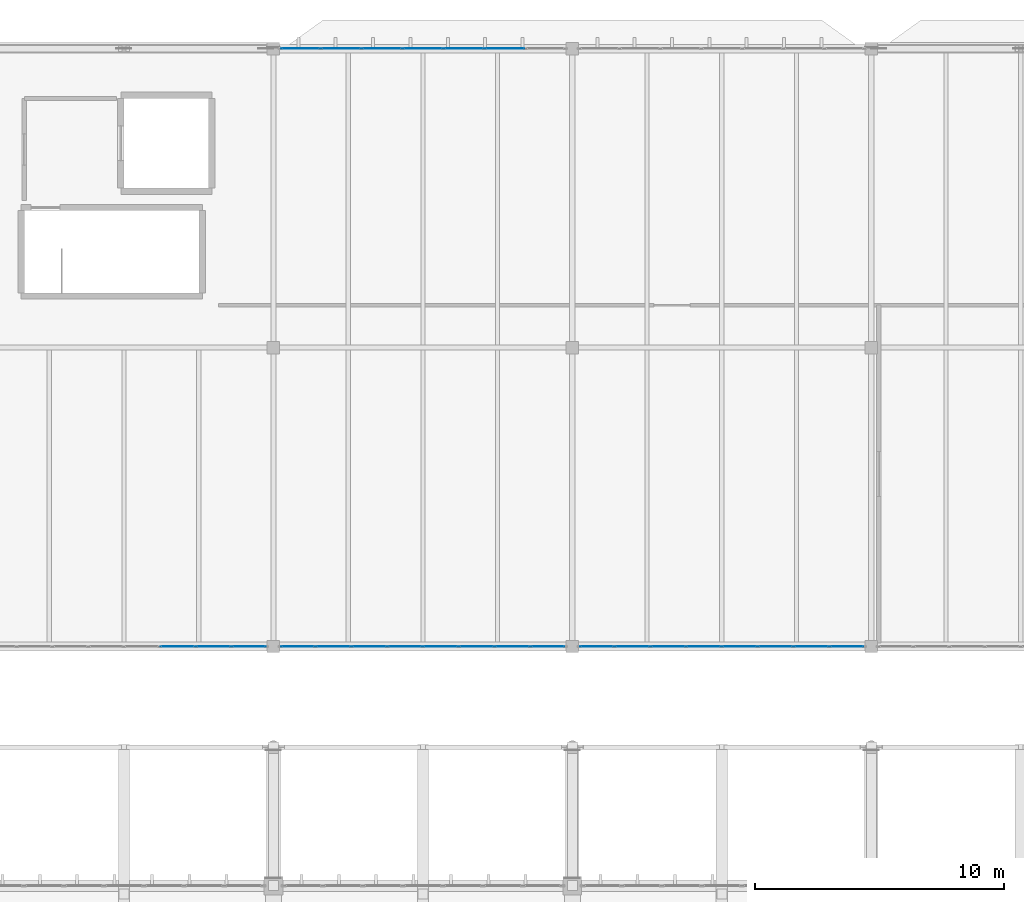
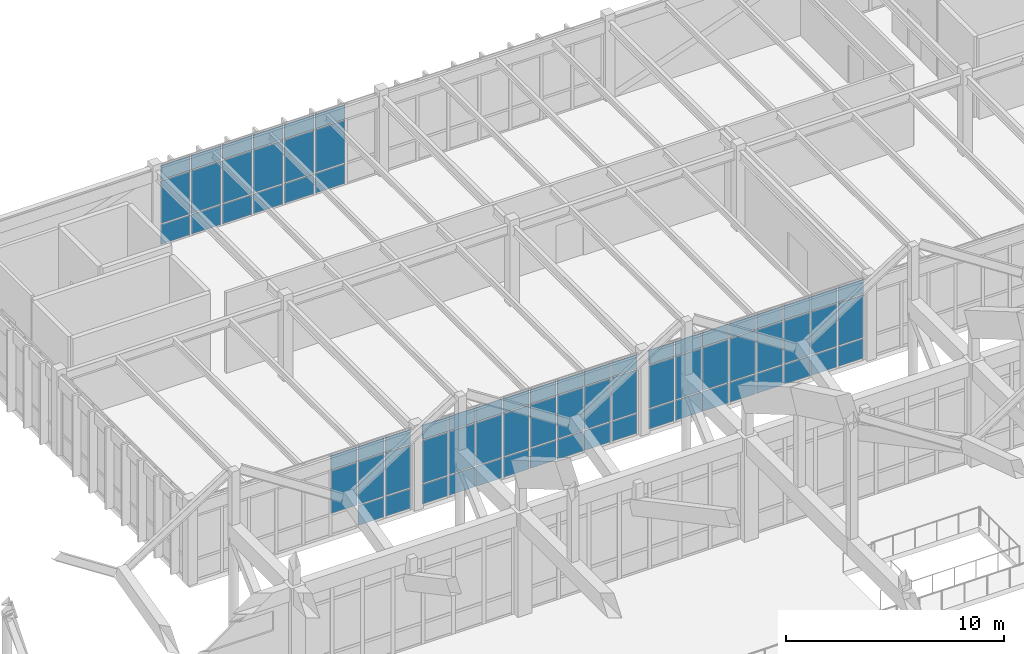
# One storey, part 196 of 236: 74 plates, 4 elements without a shape of their own.
"""IFC4 building model written with IfcOpenShell, lengths in metres."""

from ifc_helpers import new_model, si_unit, direction, frame, origin, origin_2d, place, context, subcontext, project, spatial, rectangle, extrude, material, layer, layer_set, type_object, element, aggregate, save


model = new_model("IFC4")

# Units and contexts
model_context = context("Model", 3, precision=1e-05, world=origin(), true_north=direction((0.0, 1.0)))
body_context = subcontext(model_context, "Body", "Model", "MODEL_VIEW")
ifc_project = project(units=[si_unit("LENGTHUNIT", "METRE"), si_unit("AREAUNIT", "SQUARE_METRE"), si_unit("VOLUMEUNIT", "CUBIC_METRE"), si_unit("PLANEANGLEUNIT", "RADIAN"), si_unit("MASSUNIT", "GRAM", prefix="KILO")], contexts=[model_context])

# Site, building, storey
site_placement = place(None, origin())
site = spatial("IfcSite", under=ifc_project, at=site_placement, CompositionType="ELEMENT")
building_placement = place(site_placement, origin())
building = spatial("IfcBuilding", under=site, at=building_placement, Name="Pandanus Reach Market Hall", CompositionType="ELEMENT")
storey_placement = place(building_placement, frame((0.0, 0.0, 5.39990234375)))
storey = spatial("IfcBuildingStorey", under=building, at=storey_placement, Name="L01", CompositionType="ELEMENT", Elevation=5.39990234375)

# Curtain wall, plates
ifc_material_1 = material(Name="Bronze anodised aluminium and low-E glass", Category="aluminium")
ifc_layer_1 = layer(ifc_material_1, 0.159912109375, Name="CW-38")
ifc_layer_set_1 = layer_set([ifc_layer_1], Name="Bronze anodised aluminium and low-E glass")
curtain_wall_type_1 = type_object("IfcCurtainWallType", Name="CW-38", PredefinedType="NOTDEFINED", material=ifc_layer_set_1)
curtain_wall_1_placement = place(storey_placement, origin())
curtain_wall_1 = element("IfcCurtainWall", 1, at=curtain_wall_1_placement, inside=storey, type_object=curtain_wall_type_1, Name="Glazed curtain wall CW-38 CW-0135", PredefinedType="NOTDEFINED")
ifc_material_2 = material(Name="Solar-control double glazing", Category="glass")
ifc_layer_2 = layer(ifc_material_2, 0.028076171875, Name="CW-P1")
ifc_layer_set_2 = layer_set([ifc_layer_2], Name="Solar-control double glazing")
plate_type = type_object("IfcPlateType", Name="CW-P1", PredefinedType="CURTAIN_PANEL", material=ifc_layer_set_2)
plate_1_placement = place(storey_placement, frame((68.15625, 96.0, 1.232421875), z_axis=(0.0, 0.0, 1.0), x_axis=(1.0, 0.0, 0.0)))
plate_1 = element("IfcPlate", 2, at=plate_1_placement, type_object=plate_type, Name="CW-38 panel 6.2", PredefinedType="CURTAIN_PANEL", context=body_context, shape_type="SweptSolid", body=[
    extrude(rectangle(XDim=1.37255859375, YDim=0.028076171875, at=origin_2d()), origin(), (0.0, 0.0, 1.0), 2.385009765625),
])
plate_2_placement = place(storey_placement, frame((68.15625, 96.0, 3.6826171875), z_axis=(0.0, 0.0, 1.0), x_axis=(1.0, 0.0, 0.0)))
plate_2 = element("IfcPlate", 3, at=plate_2_placement, type_object=plate_type, Name="CW-38 panel 6.3", PredefinedType="CURTAIN_PANEL", context=body_context, shape_type="SweptSolid", body=[
    extrude(rectangle(XDim=1.37255859375, YDim=0.028076171875, at=origin_2d()), origin(), (0.0, 0.0, 1.0), 0.802490234375),
])
plate_3_placement = place(storey_placement, frame((69.59375, 96.0, 0.065185546875), z_axis=(0.0, 0.0, 1.0), x_axis=(1.0, 0.0, 0.0)))
plate_3 = element("IfcPlate", 4, at=plate_3_placement, type_object=plate_type, Name="CW-38 panel 7.1", PredefinedType="CURTAIN_PANEL", context=body_context, shape_type="SweptSolid", body=[
    extrude(rectangle(XDim=1.37255859375, YDim=0.028076171875, at=origin_2d()), origin(), (0.0, 0.0, 1.0), 1.1025390625),
])
plate_4_placement = place(storey_placement, frame((69.59375, 96.0, 1.232421875), z_axis=(0.0, 0.0, 1.0), x_axis=(1.0, 0.0, 0.0)))
plate_4 = element("IfcPlate", 5, at=plate_4_placement, type_object=plate_type, Name="CW-38 panel 7.2", PredefinedType="CURTAIN_PANEL", context=body_context, shape_type="SweptSolid", body=[
    extrude(rectangle(XDim=1.37255859375, YDim=0.028076171875, at=origin_2d()), origin(), (0.0, 0.0, 1.0), 2.385009765625),
])
plate_5_placement = place(storey_placement, frame((69.59375, 96.0, 3.6826171875), z_axis=(0.0, 0.0, 1.0), x_axis=(1.0, 0.0, 0.0)))
plate_5 = element("IfcPlate", 6, at=plate_5_placement, type_object=plate_type, Name="CW-38 panel 7.3", PredefinedType="CURTAIN_PANEL", context=body_context, shape_type="SweptSolid", body=[
    extrude(rectangle(XDim=1.37255859375, YDim=0.028076171875, at=origin_2d()), origin(), (0.0, 0.0, 1.0), 0.802490234375),
])
plate_6_placement = place(storey_placement, frame((71.014892578125, 96.0, 0.065185546875), z_axis=(0.0, 0.0, 1.0), x_axis=(1.0, 0.0, 0.0)))
plate_6 = element("IfcPlate", 7, at=plate_6_placement, type_object=plate_type, Name="CW-38 panel 8.1", PredefinedType="CURTAIN_PANEL", context=body_context, shape_type="SweptSolid", body=[
    extrude(rectangle(XDim=1.340087890625, YDim=0.028076171875, at=origin_2d()), origin(), (0.0, 0.0, 1.0), 1.1025390625),
])
plate_7_placement = place(storey_placement, frame((71.014892578125, 96.0, 1.232421875), z_axis=(0.0, 0.0, 1.0), x_axis=(1.0, 0.0, 0.0)))
plate_7 = element("IfcPlate", 8, at=plate_7_placement, type_object=plate_type, Name="CW-38 panel 8.2", PredefinedType="CURTAIN_PANEL", context=body_context, shape_type="SweptSolid", body=[
    extrude(rectangle(XDim=1.340087890625, YDim=0.028076171875, at=origin_2d()), origin(), (0.0, 0.0, 1.0), 2.385009765625),
])
plate_8_placement = place(storey_placement, frame((71.014892578125, 96.0, 3.6826171875), z_axis=(0.0, 0.0, 1.0), x_axis=(1.0, 0.0, 0.0)))
plate_8 = element("IfcPlate", 9, at=plate_8_placement, type_object=plate_type, Name="CW-38 panel 8.3", PredefinedType="CURTAIN_PANEL", context=body_context, shape_type="SweptSolid", body=[
    extrude(rectangle(XDim=1.340087890625, YDim=0.028076171875, at=origin_2d()), origin(), (0.0, 0.0, 1.0), 0.802490234375),
])
aggregate(curtain_wall_1, [plate_1, plate_2, plate_3, plate_4, plate_5, plate_6, plate_7, plate_8])

curtain_wall_2_placement = place(storey_placement, origin())
curtain_wall_2 = element("IfcCurtainWall", 10, at=curtain_wall_2_placement, inside=storey, type_object=curtain_wall_type_1, Name="Glazed curtain wall CW-38 CW-0136", PredefinedType="NOTDEFINED")
plate_9_placement = place(storey_placement, frame((72.985107421875, 96.0, 0.065185546875), z_axis=(0.0, 0.0, 1.0), x_axis=(1.0, 0.0, 0.0)))
plate_9 = element("IfcPlate", 11, at=plate_9_placement, type_object=plate_type, Name="CW-38 panel 1.1", PredefinedType="CURTAIN_PANEL", context=body_context, shape_type="SweptSolid", body=[
    extrude(rectangle(XDim=1.340087890625, YDim=0.028076171875, at=origin_2d()), origin(), (0.0, 0.0, 1.0), 1.1025390625),
])
plate_10_placement = place(storey_placement, frame((72.985107421875, 96.0, 1.232421875), z_axis=(0.0, 0.0, 1.0), x_axis=(1.0, 0.0, 0.0)))
plate_10 = element("IfcPlate", 12, at=plate_10_placement, type_object=plate_type, Name="CW-38 panel 1.2", PredefinedType="CURTAIN_PANEL", context=body_context, shape_type="SweptSolid", body=[
    extrude(rectangle(XDim=1.340087890625, YDim=0.028076171875, at=origin_2d()), origin(), (0.0, 0.0, 1.0), 2.385009765625),
])
plate_11_placement = place(storey_placement, frame((72.985107421875, 96.0, 3.6826171875), z_axis=(0.0, 0.0, 1.0), x_axis=(1.0, 0.0, 0.0)))
plate_11 = element("IfcPlate", 13, at=plate_11_placement, type_object=plate_type, Name="CW-38 panel 1.3", PredefinedType="CURTAIN_PANEL", context=body_context, shape_type="SweptSolid", body=[
    extrude(rectangle(XDim=1.340087890625, YDim=0.028076171875, at=origin_2d()), origin(), (0.0, 0.0, 1.0), 0.802490234375),
])
plate_12_placement = place(storey_placement, frame((74.40625, 96.0, 0.065185546875), z_axis=(0.0, 0.0, 1.0), x_axis=(1.0, 0.0, 0.0)))
plate_12 = element("IfcPlate", 14, at=plate_12_placement, type_object=plate_type, Name="CW-38 panel 2.1", PredefinedType="CURTAIN_PANEL", context=body_context, shape_type="SweptSolid", body=[
    extrude(rectangle(XDim=1.37255859375, YDim=0.028076171875, at=origin_2d()), origin(), (0.0, 0.0, 1.0), 1.1025390625),
])
plate_13_placement = place(storey_placement, frame((74.40625, 96.0, 1.232421875), z_axis=(0.0, 0.0, 1.0), x_axis=(1.0, 0.0, 0.0)))
plate_13 = element("IfcPlate", 15, at=plate_13_placement, type_object=plate_type, Name="CW-38 panel 2.2", PredefinedType="CURTAIN_PANEL", context=body_context, shape_type="SweptSolid", body=[
    extrude(rectangle(XDim=1.37255859375, YDim=0.028076171875, at=origin_2d()), origin(), (0.0, 0.0, 1.0), 2.385009765625),
])
plate_14_placement = place(storey_placement, frame((74.40625, 96.0, 3.6826171875), z_axis=(0.0, 0.0, 1.0), x_axis=(1.0, 0.0, 0.0)))
plate_14 = element("IfcPlate", 16, at=plate_14_placement, type_object=plate_type, Name="CW-38 panel 2.3", PredefinedType="CURTAIN_PANEL", context=body_context, shape_type="SweptSolid", body=[
    extrude(rectangle(XDim=1.37255859375, YDim=0.028076171875, at=origin_2d()), origin(), (0.0, 0.0, 1.0), 0.802490234375),
])
plate_15_placement = place(storey_placement, frame((75.84375, 96.0, 0.065185546875), z_axis=(0.0, 0.0, 1.0), x_axis=(1.0, 0.0, 0.0)))
plate_15 = element("IfcPlate", 17, at=plate_15_placement, type_object=plate_type, Name="CW-38 panel 3.1", PredefinedType="CURTAIN_PANEL", context=body_context, shape_type="SweptSolid", body=[
    extrude(rectangle(XDim=1.37255859375, YDim=0.028076171875, at=origin_2d()), origin(), (0.0, 0.0, 1.0), 1.1025390625),
])
plate_16_placement = place(storey_placement, frame((75.84375, 96.0, 1.232421875), z_axis=(0.0, 0.0, 1.0), x_axis=(1.0, 0.0, 0.0)))
plate_16 = element("IfcPlate", 18, at=plate_16_placement, type_object=plate_type, Name="CW-38 panel 3.2", PredefinedType="CURTAIN_PANEL", context=body_context, shape_type="SweptSolid", body=[
    extrude(rectangle(XDim=1.37255859375, YDim=0.028076171875, at=origin_2d()), origin(), (0.0, 0.0, 1.0), 2.385009765625),
])
plate_17_placement = place(storey_placement, frame((75.84375, 96.0, 3.6826171875), z_axis=(0.0, 0.0, 1.0), x_axis=(1.0, 0.0, 0.0)))
plate_17 = element("IfcPlate", 19, at=plate_17_placement, type_object=plate_type, Name="CW-38 panel 3.3", PredefinedType="CURTAIN_PANEL", context=body_context, shape_type="SweptSolid", body=[
    extrude(rectangle(XDim=1.37255859375, YDim=0.028076171875, at=origin_2d()), origin(), (0.0, 0.0, 1.0), 0.802490234375),
])
plate_18_placement = place(storey_placement, frame((77.28125, 96.0, 0.065185546875), z_axis=(0.0, 0.0, 1.0), x_axis=(1.0, 0.0, 0.0)))
plate_18 = element("IfcPlate", 20, at=plate_18_placement, type_object=plate_type, Name="CW-38 panel 4.1", PredefinedType="CURTAIN_PANEL", context=body_context, shape_type="SweptSolid", body=[
    extrude(rectangle(XDim=1.37255859375, YDim=0.028076171875, at=origin_2d()), origin(), (0.0, 0.0, 1.0), 1.1025390625),
])
plate_19_placement = place(storey_placement, frame((77.28125, 96.0, 1.232421875), z_axis=(0.0, 0.0, 1.0), x_axis=(1.0, 0.0, 0.0)))
plate_19 = element("IfcPlate", 21, at=plate_19_placement, type_object=plate_type, Name="CW-38 panel 4.2", PredefinedType="CURTAIN_PANEL", context=body_context, shape_type="SweptSolid", body=[
    extrude(rectangle(XDim=1.37255859375, YDim=0.028076171875, at=origin_2d()), origin(), (0.0, 0.0, 1.0), 2.385009765625),
])
plate_20_placement = place(storey_placement, frame((77.28125, 96.0, 3.6826171875), z_axis=(0.0, 0.0, 1.0), x_axis=(1.0, 0.0, 0.0)))
plate_20 = element("IfcPlate", 22, at=plate_20_placement, type_object=plate_type, Name="CW-38 panel 4.3", PredefinedType="CURTAIN_PANEL", context=body_context, shape_type="SweptSolid", body=[
    extrude(rectangle(XDim=1.37255859375, YDim=0.028076171875, at=origin_2d()), origin(), (0.0, 0.0, 1.0), 0.802490234375),
])
plate_21_placement = place(storey_placement, frame((78.71875, 96.0, 0.065185546875), z_axis=(0.0, 0.0, 1.0), x_axis=(1.0, 0.0, 0.0)))
plate_21 = element("IfcPlate", 23, at=plate_21_placement, type_object=plate_type, Name="CW-38 panel 5.1", PredefinedType="CURTAIN_PANEL", context=body_context, shape_type="SweptSolid", body=[
    extrude(rectangle(XDim=1.37255859375, YDim=0.028076171875, at=origin_2d()), origin(), (0.0, 0.0, 1.0), 1.1025390625),
])
plate_22_placement = place(storey_placement, frame((78.71875, 96.0, 1.232421875), z_axis=(0.0, 0.0, 1.0), x_axis=(1.0, 0.0, 0.0)))
plate_22 = element("IfcPlate", 24, at=plate_22_placement, type_object=plate_type, Name="CW-38 panel 5.2", PredefinedType="CURTAIN_PANEL", context=body_context, shape_type="SweptSolid", body=[
    extrude(rectangle(XDim=1.37255859375, YDim=0.028076171875, at=origin_2d()), origin(), (0.0, 0.0, 1.0), 2.385009765625),
])
plate_23_placement = place(storey_placement, frame((78.71875, 96.0, 3.6826171875), z_axis=(0.0, 0.0, 1.0), x_axis=(1.0, 0.0, 0.0)))
plate_23 = element("IfcPlate", 25, at=plate_23_placement, type_object=plate_type, Name="CW-38 panel 5.3", PredefinedType="CURTAIN_PANEL", context=body_context, shape_type="SweptSolid", body=[
    extrude(rectangle(XDim=1.37255859375, YDim=0.028076171875, at=origin_2d()), origin(), (0.0, 0.0, 1.0), 0.802490234375),
])
plate_24_placement = place(storey_placement, frame((80.15625, 96.0, 0.065185546875), z_axis=(0.0, 0.0, 1.0), x_axis=(1.0, 0.0, 0.0)))
plate_24 = element("IfcPlate", 26, at=plate_24_placement, type_object=plate_type, Name="CW-38 panel 6.1", PredefinedType="CURTAIN_PANEL", context=body_context, shape_type="SweptSolid", body=[
    extrude(rectangle(XDim=1.37255859375, YDim=0.028076171875, at=origin_2d()), origin(), (0.0, 0.0, 1.0), 1.1025390625),
])
plate_25_placement = place(storey_placement, frame((80.15625, 96.0, 1.232421875), z_axis=(0.0, 0.0, 1.0), x_axis=(1.0, 0.0, 0.0)))
plate_25 = element("IfcPlate", 27, at=plate_25_placement, type_object=plate_type, Name="CW-38 panel 6.2", PredefinedType="CURTAIN_PANEL", context=body_context, shape_type="SweptSolid", body=[
    extrude(rectangle(XDim=1.37255859375, YDim=0.028076171875, at=origin_2d()), origin(), (0.0, 0.0, 1.0), 2.385009765625),
])
plate_26_placement = place(storey_placement, frame((80.15625, 96.0, 3.6826171875), z_axis=(0.0, 0.0, 1.0), x_axis=(1.0, 0.0, 0.0)))
plate_26 = element("IfcPlate", 28, at=plate_26_placement, type_object=plate_type, Name="CW-38 panel 6.3", PredefinedType="CURTAIN_PANEL", context=body_context, shape_type="SweptSolid", body=[
    extrude(rectangle(XDim=1.37255859375, YDim=0.028076171875, at=origin_2d()), origin(), (0.0, 0.0, 1.0), 0.802490234375),
])
plate_27_placement = place(storey_placement, frame((81.59375, 96.0, 0.065185546875), z_axis=(0.0, 0.0, 1.0), x_axis=(1.0, 0.0, 0.0)))
plate_27 = element("IfcPlate", 29, at=plate_27_placement, type_object=plate_type, Name="CW-38 panel 7.1", PredefinedType="CURTAIN_PANEL", context=body_context, shape_type="SweptSolid", body=[
    extrude(rectangle(XDim=1.37255859375, YDim=0.028076171875, at=origin_2d()), origin(), (0.0, 0.0, 1.0), 1.1025390625),
])
plate_28_placement = place(storey_placement, frame((81.59375, 96.0, 1.232421875), z_axis=(0.0, 0.0, 1.0), x_axis=(1.0, 0.0, 0.0)))
plate_28 = element("IfcPlate", 30, at=plate_28_placement, type_object=plate_type, Name="CW-38 panel 7.2", PredefinedType="CURTAIN_PANEL", context=body_context, shape_type="SweptSolid", body=[
    extrude(rectangle(XDim=1.37255859375, YDim=0.028076171875, at=origin_2d()), origin(), (0.0, 0.0, 1.0), 2.385009765625),
])
plate_29_placement = place(storey_placement, frame((81.59375, 96.0, 3.6826171875), z_axis=(0.0, 0.0, 1.0), x_axis=(1.0, 0.0, 0.0)))
plate_29 = element("IfcPlate", 31, at=plate_29_placement, type_object=plate_type, Name="CW-38 panel 7.3", PredefinedType="CURTAIN_PANEL", context=body_context, shape_type="SweptSolid", body=[
    extrude(rectangle(XDim=1.37255859375, YDim=0.028076171875, at=origin_2d()), origin(), (0.0, 0.0, 1.0), 0.802490234375),
])
plate_30_placement = place(storey_placement, frame((83.014892578125, 96.0, 0.065185546875), z_axis=(0.0, 0.0, 1.0), x_axis=(1.0, 0.0, 0.0)))
plate_30 = element("IfcPlate", 32, at=plate_30_placement, type_object=plate_type, Name="CW-38 panel 8.1", PredefinedType="CURTAIN_PANEL", context=body_context, shape_type="SweptSolid", body=[
    extrude(rectangle(XDim=1.340087890625, YDim=0.028076171875, at=origin_2d()), origin(), (0.0, 0.0, 1.0), 1.1025390625),
])
plate_31_placement = place(storey_placement, frame((83.014892578125, 96.0, 1.232421875), z_axis=(0.0, 0.0, 1.0), x_axis=(1.0, 0.0, 0.0)))
plate_31 = element("IfcPlate", 33, at=plate_31_placement, type_object=plate_type, Name="CW-38 panel 8.2", PredefinedType="CURTAIN_PANEL", context=body_context, shape_type="SweptSolid", body=[
    extrude(rectangle(XDim=1.340087890625, YDim=0.028076171875, at=origin_2d()), origin(), (0.0, 0.0, 1.0), 2.385009765625),
])
plate_32_placement = place(storey_placement, frame((83.014892578125, 96.0, 3.6826171875), z_axis=(0.0, 0.0, 1.0), x_axis=(1.0, 0.0, 0.0)))
plate_32 = element("IfcPlate", 34, at=plate_32_placement, type_object=plate_type, Name="CW-38 panel 8.3", PredefinedType="CURTAIN_PANEL", context=body_context, shape_type="SweptSolid", body=[
    extrude(rectangle(XDim=1.340087890625, YDim=0.028076171875, at=origin_2d()), origin(), (0.0, 0.0, 1.0), 0.802490234375),
])
aggregate(curtain_wall_2, [plate_9, plate_10, plate_11, plate_12, plate_13, plate_14, plate_15, plate_16, plate_17, plate_18, plate_19, plate_20, plate_21, plate_22, plate_23, plate_24, plate_25, plate_26, plate_27, plate_28, plate_29, plate_30, plate_31, plate_32])

ifc_layer_3 = layer(ifc_material_1, 0.159912109375, Name="CW-39")
ifc_layer_set_3 = layer_set([ifc_layer_3], Name="Bronze anodised aluminium and low-E glass")
curtain_wall_type_2 = type_object("IfcCurtainWallType", Name="CW-39", PredefinedType="NOTDEFINED", material=ifc_layer_set_3)
curtain_wall_3_placement = place(storey_placement, origin())
curtain_wall_3 = element("IfcCurtainWall", 35, at=curtain_wall_3_placement, inside=storey, type_object=curtain_wall_type_2, Name="Glazed curtain wall CW-39 CW-0137", PredefinedType="NOTDEFINED")
plate_33_placement = place(storey_placement, frame((73.087646484375, 120.0, 0.065185546875), z_axis=(0.0, 0.0, 1.0), x_axis=(1.0, 0.0, 0.0)))
plate_33 = element("IfcPlate", 36, at=plate_33_placement, type_object=plate_type, Name="CW-39 panel 1.1", PredefinedType="CURTAIN_PANEL", context=body_context, shape_type="SweptSolid", body=[
    extrude(rectangle(XDim=1.54541015625, YDim=0.028076171875, at=origin_2d()), origin(), (0.0, 0.0, 1.0), 1.1025390625),
])
plate_34_placement = place(storey_placement, frame((73.087646484375, 120.0, 1.232421875), z_axis=(0.0, 0.0, 1.0), x_axis=(1.0, 0.0, 0.0)))
plate_34 = element("IfcPlate", 37, at=plate_34_placement, type_object=plate_type, Name="CW-39 panel 1.2", PredefinedType="CURTAIN_PANEL", context=body_context, shape_type="SweptSolid", body=[
    extrude(rectangle(XDim=1.54541015625, YDim=0.028076171875, at=origin_2d()), origin(), (0.0, 0.0, 1.0), 2.385009765625),
])
plate_35_placement = place(storey_placement, frame((73.087646484375, 120.0, 3.6826171875), z_axis=(0.0, 0.0, 1.0), x_axis=(1.0, 0.0, 0.0)))
plate_35 = element("IfcPlate", 38, at=plate_35_placement, type_object=plate_type, Name="CW-39 panel 1.3", PredefinedType="CURTAIN_PANEL", context=body_context, shape_type="SweptSolid", body=[
    extrude(rectangle(XDim=1.54541015625, YDim=0.028076171875, at=origin_2d()), origin(), (0.0, 0.0, 1.0), 0.802490234375),
])
plate_36_placement = place(storey_placement, frame((74.71435546875, 120.0, 0.065185546875), z_axis=(0.0, 0.0, 1.0), x_axis=(1.0, 0.0, 0.0)))
plate_36 = element("IfcPlate", 39, at=plate_36_placement, type_object=plate_type, Name="CW-39 panel 2.1", PredefinedType="CURTAIN_PANEL", context=body_context, shape_type="SweptSolid", body=[
    extrude(rectangle(XDim=1.577880859375, YDim=0.028076171875, at=origin_2d()), origin(), (0.0, 0.0, 1.0), 1.1025390625),
])
plate_37_placement = place(storey_placement, frame((74.71435546875, 120.0, 1.232421875), z_axis=(0.0, 0.0, 1.0), x_axis=(1.0, 0.0, 0.0)))
plate_37 = element("IfcPlate", 40, at=plate_37_placement, type_object=plate_type, Name="CW-39 panel 2.2", PredefinedType="CURTAIN_PANEL", context=body_context, shape_type="SweptSolid", body=[
    extrude(rectangle(XDim=1.577880859375, YDim=0.028076171875, at=origin_2d()), origin(), (0.0, 0.0, 1.0), 2.385009765625),
])
plate_38_placement = place(storey_placement, frame((74.71435546875, 120.0, 3.6826171875), z_axis=(0.0, 0.0, 1.0), x_axis=(1.0, 0.0, 0.0)))
plate_38 = element("IfcPlate", 41, at=plate_38_placement, type_object=plate_type, Name="CW-39 panel 2.3", PredefinedType="CURTAIN_PANEL", context=body_context, shape_type="SweptSolid", body=[
    extrude(rectangle(XDim=1.577880859375, YDim=0.028076171875, at=origin_2d()), origin(), (0.0, 0.0, 1.0), 0.802490234375),
])
plate_39_placement = place(storey_placement, frame((76.357177734375, 120.0, 0.065185546875), z_axis=(0.0, 0.0, 1.0), x_axis=(1.0, 0.0, 0.0)))
plate_39 = element("IfcPlate", 42, at=plate_39_placement, type_object=plate_type, Name="CW-39 panel 3.1", PredefinedType="CURTAIN_PANEL", context=body_context, shape_type="SweptSolid", body=[
    extrude(rectangle(XDim=1.577880859375, YDim=0.028076171875, at=origin_2d()), origin(), (0.0, 0.0, 1.0), 1.1025390625),
])
plate_40_placement = place(storey_placement, frame((76.357177734375, 120.0, 1.232421875), z_axis=(0.0, 0.0, 1.0), x_axis=(1.0, 0.0, 0.0)))
plate_40 = element("IfcPlate", 43, at=plate_40_placement, type_object=plate_type, Name="CW-39 panel 3.2", PredefinedType="CURTAIN_PANEL", context=body_context, shape_type="SweptSolid", body=[
    extrude(rectangle(XDim=1.577880859375, YDim=0.028076171875, at=origin_2d()), origin(), (0.0, 0.0, 1.0), 2.385009765625),
])
plate_41_placement = place(storey_placement, frame((76.357177734375, 120.0, 3.6826171875), z_axis=(0.0, 0.0, 1.0), x_axis=(1.0, 0.0, 0.0)))
plate_41 = element("IfcPlate", 44, at=plate_41_placement, type_object=plate_type, Name="CW-39 panel 3.3", PredefinedType="CURTAIN_PANEL", context=body_context, shape_type="SweptSolid", body=[
    extrude(rectangle(XDim=1.577880859375, YDim=0.028076171875, at=origin_2d()), origin(), (0.0, 0.0, 1.0), 0.802490234375),
])
plate_42_placement = place(storey_placement, frame((78.0, 120.0, 0.065185546875), z_axis=(0.0, 0.0, 1.0), x_axis=(1.0, 0.0, 0.0)))
plate_42 = element("IfcPlate", 45, at=plate_42_placement, type_object=plate_type, Name="CW-39 panel 4.1", PredefinedType="CURTAIN_PANEL", context=body_context, shape_type="SweptSolid", body=[
    extrude(rectangle(XDim=1.577880859375, YDim=0.028076171875, at=origin_2d()), origin(), (0.0, 0.0, 1.0), 1.1025390625),
])
plate_43_placement = place(storey_placement, frame((78.0, 120.0, 1.232421875), z_axis=(0.0, 0.0, 1.0), x_axis=(1.0, 0.0, 0.0)))
plate_43 = element("IfcPlate", 46, at=plate_43_placement, type_object=plate_type, Name="CW-39 panel 4.2", PredefinedType="CURTAIN_PANEL", context=body_context, shape_type="SweptSolid", body=[
    extrude(rectangle(XDim=1.577880859375, YDim=0.028076171875, at=origin_2d()), origin(), (0.0, 0.0, 1.0), 2.385009765625),
])
plate_44_placement = place(storey_placement, frame((78.0, 120.0, 3.6826171875), z_axis=(0.0, 0.0, 1.0), x_axis=(1.0, 0.0, 0.0)))
plate_44 = element("IfcPlate", 47, at=plate_44_placement, type_object=plate_type, Name="CW-39 panel 4.3", PredefinedType="CURTAIN_PANEL", context=body_context, shape_type="SweptSolid", body=[
    extrude(rectangle(XDim=1.577880859375, YDim=0.028076171875, at=origin_2d()), origin(), (0.0, 0.0, 1.0), 0.802490234375),
])
plate_45_placement = place(storey_placement, frame((79.642822265625, 120.0, 0.065185546875), z_axis=(0.0, 0.0, 1.0), x_axis=(1.0, 0.0, 0.0)))
plate_45 = element("IfcPlate", 48, at=plate_45_placement, type_object=plate_type, Name="CW-39 panel 5.1", PredefinedType="CURTAIN_PANEL", context=body_context, shape_type="SweptSolid", body=[
    extrude(rectangle(XDim=1.577880859375, YDim=0.028076171875, at=origin_2d()), origin(), (0.0, 0.0, 1.0), 1.1025390625),
])
plate_46_placement = place(storey_placement, frame((79.642822265625, 120.0, 1.232421875), z_axis=(0.0, 0.0, 1.0), x_axis=(1.0, 0.0, 0.0)))
plate_46 = element("IfcPlate", 49, at=plate_46_placement, type_object=plate_type, Name="CW-39 panel 5.2", PredefinedType="CURTAIN_PANEL", context=body_context, shape_type="SweptSolid", body=[
    extrude(rectangle(XDim=1.577880859375, YDim=0.028076171875, at=origin_2d()), origin(), (0.0, 0.0, 1.0), 2.385009765625),
])
plate_47_placement = place(storey_placement, frame((79.642822265625, 120.0, 3.6826171875), z_axis=(0.0, 0.0, 1.0), x_axis=(1.0, 0.0, 0.0)))
plate_47 = element("IfcPlate", 50, at=plate_47_placement, type_object=plate_type, Name="CW-39 panel 5.3", PredefinedType="CURTAIN_PANEL", context=body_context, shape_type="SweptSolid", body=[
    extrude(rectangle(XDim=1.577880859375, YDim=0.028076171875, at=origin_2d()), origin(), (0.0, 0.0, 1.0), 0.802490234375),
])
plate_48_placement = place(storey_placement, frame((81.28564453125, 120.0, 0.065185546875), z_axis=(0.0, 0.0, 1.0), x_axis=(1.0, 0.0, 0.0)))
plate_48 = element("IfcPlate", 51, at=plate_48_placement, type_object=plate_type, Name="CW-39 panel 6.1", PredefinedType="CURTAIN_PANEL", context=body_context, shape_type="SweptSolid", body=[
    extrude(rectangle(XDim=1.577880859375, YDim=0.028076171875, at=origin_2d()), origin(), (0.0, 0.0, 1.0), 1.1025390625),
])
plate_49_placement = place(storey_placement, frame((81.28564453125, 120.0, 1.232421875), z_axis=(0.0, 0.0, 1.0), x_axis=(1.0, 0.0, 0.0)))
plate_49 = element("IfcPlate", 52, at=plate_49_placement, type_object=plate_type, Name="CW-39 panel 6.2", PredefinedType="CURTAIN_PANEL", context=body_context, shape_type="SweptSolid", body=[
    extrude(rectangle(XDim=1.577880859375, YDim=0.028076171875, at=origin_2d()), origin(), (0.0, 0.0, 1.0), 2.385009765625),
])
plate_50_placement = place(storey_placement, frame((81.28564453125, 120.0, 3.6826171875), z_axis=(0.0, 0.0, 1.0), x_axis=(1.0, 0.0, 0.0)))
plate_50 = element("IfcPlate", 53, at=plate_50_placement, type_object=plate_type, Name="CW-39 panel 6.3", PredefinedType="CURTAIN_PANEL", context=body_context, shape_type="SweptSolid", body=[
    extrude(rectangle(XDim=1.577880859375, YDim=0.028076171875, at=origin_2d()), origin(), (0.0, 0.0, 1.0), 0.802490234375),
])
aggregate(curtain_wall_3, [plate_33, plate_34, plate_35, plate_36, plate_37, plate_38, plate_39, plate_40, plate_41, plate_42, plate_43, plate_44, plate_45, plate_46, plate_47, plate_48, plate_49, plate_50])

curtain_wall_4_placement = place(storey_placement, origin())
curtain_wall_4 = element("IfcCurtainWall", 54, at=curtain_wall_4_placement, inside=storey, type_object=curtain_wall_type_1, Name="Glazed curtain wall CW-38 CW-0138", PredefinedType="NOTDEFINED")
plate_51_placement = place(storey_placement, frame((84.985107421875, 96.0, 0.065185546875), z_axis=(0.0, 0.0, 1.0), x_axis=(1.0, 0.0, 0.0)))
plate_51 = element("IfcPlate", 55, at=plate_51_placement, type_object=plate_type, Name="CW-38 panel 1.1", PredefinedType="CURTAIN_PANEL", context=body_context, shape_type="SweptSolid", body=[
    extrude(rectangle(XDim=1.340087890625, YDim=0.028076171875, at=origin_2d()), origin(), (0.0, 0.0, 1.0), 1.1025390625),
])
plate_52_placement = place(storey_placement, frame((84.985107421875, 96.0, 1.232421875), z_axis=(0.0, 0.0, 1.0), x_axis=(1.0, 0.0, 0.0)))
plate_52 = element("IfcPlate", 56, at=plate_52_placement, type_object=plate_type, Name="CW-38 panel 1.2", PredefinedType="CURTAIN_PANEL", context=body_context, shape_type="SweptSolid", body=[
    extrude(rectangle(XDim=1.340087890625, YDim=0.028076171875, at=origin_2d()), origin(), (0.0, 0.0, 1.0), 2.385009765625),
])
plate_53_placement = place(storey_placement, frame((84.985107421875, 96.0, 3.6826171875), z_axis=(0.0, 0.0, 1.0), x_axis=(1.0, 0.0, 0.0)))
plate_53 = element("IfcPlate", 57, at=plate_53_placement, type_object=plate_type, Name="CW-38 panel 1.3", PredefinedType="CURTAIN_PANEL", context=body_context, shape_type="SweptSolid", body=[
    extrude(rectangle(XDim=1.340087890625, YDim=0.028076171875, at=origin_2d()), origin(), (0.0, 0.0, 1.0), 0.802490234375),
])
plate_54_placement = place(storey_placement, frame((86.40625, 96.0, 0.065185546875), z_axis=(0.0, 0.0, 1.0), x_axis=(1.0, 0.0, 0.0)))
plate_54 = element("IfcPlate", 58, at=plate_54_placement, type_object=plate_type, Name="CW-38 panel 2.1", PredefinedType="CURTAIN_PANEL", context=body_context, shape_type="SweptSolid", body=[
    extrude(rectangle(XDim=1.37255859375, YDim=0.028076171875, at=origin_2d()), origin(), (0.0, 0.0, 1.0), 1.1025390625),
])
plate_55_placement = place(storey_placement, frame((86.40625, 96.0, 1.232421875), z_axis=(0.0, 0.0, 1.0), x_axis=(1.0, 0.0, 0.0)))
plate_55 = element("IfcPlate", 59, at=plate_55_placement, type_object=plate_type, Name="CW-38 panel 2.2", PredefinedType="CURTAIN_PANEL", context=body_context, shape_type="SweptSolid", body=[
    extrude(rectangle(XDim=1.37255859375, YDim=0.028076171875, at=origin_2d()), origin(), (0.0, 0.0, 1.0), 2.385009765625),
])
plate_56_placement = place(storey_placement, frame((86.40625, 96.0, 3.6826171875), z_axis=(0.0, 0.0, 1.0), x_axis=(1.0, 0.0, 0.0)))
plate_56 = element("IfcPlate", 60, at=plate_56_placement, type_object=plate_type, Name="CW-38 panel 2.3", PredefinedType="CURTAIN_PANEL", context=body_context, shape_type="SweptSolid", body=[
    extrude(rectangle(XDim=1.37255859375, YDim=0.028076171875, at=origin_2d()), origin(), (0.0, 0.0, 1.0), 0.802490234375),
])
plate_57_placement = place(storey_placement, frame((87.84375, 96.0, 0.065185546875), z_axis=(0.0, 0.0, 1.0), x_axis=(1.0, 0.0, 0.0)))
plate_57 = element("IfcPlate", 61, at=plate_57_placement, type_object=plate_type, Name="CW-38 panel 3.1", PredefinedType="CURTAIN_PANEL", context=body_context, shape_type="SweptSolid", body=[
    extrude(rectangle(XDim=1.37255859375, YDim=0.028076171875, at=origin_2d()), origin(), (0.0, 0.0, 1.0), 1.1025390625),
])
plate_58_placement = place(storey_placement, frame((87.84375, 96.0, 1.232421875), z_axis=(0.0, 0.0, 1.0), x_axis=(1.0, 0.0, 0.0)))
plate_58 = element("IfcPlate", 62, at=plate_58_placement, type_object=plate_type, Name="CW-38 panel 3.2", PredefinedType="CURTAIN_PANEL", context=body_context, shape_type="SweptSolid", body=[
    extrude(rectangle(XDim=1.37255859375, YDim=0.028076171875, at=origin_2d()), origin(), (0.0, 0.0, 1.0), 2.385009765625),
])
plate_59_placement = place(storey_placement, frame((87.84375, 96.0, 3.6826171875), z_axis=(0.0, 0.0, 1.0), x_axis=(1.0, 0.0, 0.0)))
plate_59 = element("IfcPlate", 63, at=plate_59_placement, type_object=plate_type, Name="CW-38 panel 3.3", PredefinedType="CURTAIN_PANEL", context=body_context, shape_type="SweptSolid", body=[
    extrude(rectangle(XDim=1.37255859375, YDim=0.028076171875, at=origin_2d()), origin(), (0.0, 0.0, 1.0), 0.802490234375),
])
plate_60_placement = place(storey_placement, frame((89.28125, 96.0, 0.065185546875), z_axis=(0.0, 0.0, 1.0), x_axis=(1.0, 0.0, 0.0)))
plate_60 = element("IfcPlate", 64, at=plate_60_placement, type_object=plate_type, Name="CW-38 panel 4.1", PredefinedType="CURTAIN_PANEL", context=body_context, shape_type="SweptSolid", body=[
    extrude(rectangle(XDim=1.37255859375, YDim=0.028076171875, at=origin_2d()), origin(), (0.0, 0.0, 1.0), 1.1025390625),
])
plate_61_placement = place(storey_placement, frame((89.28125, 96.0, 1.232421875), z_axis=(0.0, 0.0, 1.0), x_axis=(1.0, 0.0, 0.0)))
plate_61 = element("IfcPlate", 65, at=plate_61_placement, type_object=plate_type, Name="CW-38 panel 4.2", PredefinedType="CURTAIN_PANEL", context=body_context, shape_type="SweptSolid", body=[
    extrude(rectangle(XDim=1.37255859375, YDim=0.028076171875, at=origin_2d()), origin(), (0.0, 0.0, 1.0), 2.385009765625),
])
plate_62_placement = place(storey_placement, frame((89.28125, 96.0, 3.6826171875), z_axis=(0.0, 0.0, 1.0), x_axis=(1.0, 0.0, 0.0)))
plate_62 = element("IfcPlate", 66, at=plate_62_placement, type_object=plate_type, Name="CW-38 panel 4.3", PredefinedType="CURTAIN_PANEL", context=body_context, shape_type="SweptSolid", body=[
    extrude(rectangle(XDim=1.37255859375, YDim=0.028076171875, at=origin_2d()), origin(), (0.0, 0.0, 1.0), 0.802490234375),
])
plate_63_placement = place(storey_placement, frame((90.71875, 96.0, 0.065185546875), z_axis=(0.0, 0.0, 1.0), x_axis=(1.0, 0.0, 0.0)))
plate_63 = element("IfcPlate", 67, at=plate_63_placement, type_object=plate_type, Name="CW-38 panel 5.1", PredefinedType="CURTAIN_PANEL", context=body_context, shape_type="SweptSolid", body=[
    extrude(rectangle(XDim=1.37255859375, YDim=0.028076171875, at=origin_2d()), origin(), (0.0, 0.0, 1.0), 1.1025390625),
])
plate_64_placement = place(storey_placement, frame((90.71875, 96.0, 1.232421875), z_axis=(0.0, 0.0, 1.0), x_axis=(1.0, 0.0, 0.0)))
plate_64 = element("IfcPlate", 68, at=plate_64_placement, type_object=plate_type, Name="CW-38 panel 5.2", PredefinedType="CURTAIN_PANEL", context=body_context, shape_type="SweptSolid", body=[
    extrude(rectangle(XDim=1.37255859375, YDim=0.028076171875, at=origin_2d()), origin(), (0.0, 0.0, 1.0), 2.385009765625),
])
plate_65_placement = place(storey_placement, frame((90.71875, 96.0, 3.6826171875), z_axis=(0.0, 0.0, 1.0), x_axis=(1.0, 0.0, 0.0)))
plate_65 = element("IfcPlate", 69, at=plate_65_placement, type_object=plate_type, Name="CW-38 panel 5.3", PredefinedType="CURTAIN_PANEL", context=body_context, shape_type="SweptSolid", body=[
    extrude(rectangle(XDim=1.37255859375, YDim=0.028076171875, at=origin_2d()), origin(), (0.0, 0.0, 1.0), 0.802490234375),
])
plate_66_placement = place(storey_placement, frame((92.15625, 96.0, 0.065185546875), z_axis=(0.0, 0.0, 1.0), x_axis=(1.0, 0.0, 0.0)))
plate_66 = element("IfcPlate", 70, at=plate_66_placement, type_object=plate_type, Name="CW-38 panel 6.1", PredefinedType="CURTAIN_PANEL", context=body_context, shape_type="SweptSolid", body=[
    extrude(rectangle(XDim=1.37255859375, YDim=0.028076171875, at=origin_2d()), origin(), (0.0, 0.0, 1.0), 1.1025390625),
])
plate_67_placement = place(storey_placement, frame((92.15625, 96.0, 1.232421875), z_axis=(0.0, 0.0, 1.0), x_axis=(1.0, 0.0, 0.0)))
plate_67 = element("IfcPlate", 71, at=plate_67_placement, type_object=plate_type, Name="CW-38 panel 6.2", PredefinedType="CURTAIN_PANEL", context=body_context, shape_type="SweptSolid", body=[
    extrude(rectangle(XDim=1.37255859375, YDim=0.028076171875, at=origin_2d()), origin(), (0.0, 0.0, 1.0), 2.385009765625),
])
plate_68_placement = place(storey_placement, frame((92.15625, 96.0, 3.6826171875), z_axis=(0.0, 0.0, 1.0), x_axis=(1.0, 0.0, 0.0)))
plate_68 = element("IfcPlate", 72, at=plate_68_placement, type_object=plate_type, Name="CW-38 panel 6.3", PredefinedType="CURTAIN_PANEL", context=body_context, shape_type="SweptSolid", body=[
    extrude(rectangle(XDim=1.37255859375, YDim=0.028076171875, at=origin_2d()), origin(), (0.0, 0.0, 1.0), 0.802490234375),
])
plate_69_placement = place(storey_placement, frame((93.59375, 96.0, 0.065185546875), z_axis=(0.0, 0.0, 1.0), x_axis=(1.0, 0.0, 0.0)))
plate_69 = element("IfcPlate", 73, at=plate_69_placement, type_object=plate_type, Name="CW-38 panel 7.1", PredefinedType="CURTAIN_PANEL", context=body_context, shape_type="SweptSolid", body=[
    extrude(rectangle(XDim=1.37255859375, YDim=0.028076171875, at=origin_2d()), origin(), (0.0, 0.0, 1.0), 1.1025390625),
])
plate_70_placement = place(storey_placement, frame((93.59375, 96.0, 1.232421875), z_axis=(0.0, 0.0, 1.0), x_axis=(1.0, 0.0, 0.0)))
plate_70 = element("IfcPlate", 74, at=plate_70_placement, type_object=plate_type, Name="CW-38 panel 7.2", PredefinedType="CURTAIN_PANEL", context=body_context, shape_type="SweptSolid", body=[
    extrude(rectangle(XDim=1.37255859375, YDim=0.028076171875, at=origin_2d()), origin(), (0.0, 0.0, 1.0), 2.385009765625),
])
plate_71_placement = place(storey_placement, frame((93.59375, 96.0, 3.6826171875), z_axis=(0.0, 0.0, 1.0), x_axis=(1.0, 0.0, 0.0)))
plate_71 = element("IfcPlate", 75, at=plate_71_placement, type_object=plate_type, Name="CW-38 panel 7.3", PredefinedType="CURTAIN_PANEL", context=body_context, shape_type="SweptSolid", body=[
    extrude(rectangle(XDim=1.37255859375, YDim=0.028076171875, at=origin_2d()), origin(), (0.0, 0.0, 1.0), 0.802490234375),
])
plate_72_placement = place(storey_placement, frame((95.014892578125, 96.0, 0.065185546875), z_axis=(0.0, 0.0, 1.0), x_axis=(1.0, 0.0, 0.0)))
plate_72 = element("IfcPlate", 76, at=plate_72_placement, type_object=plate_type, Name="CW-38 panel 8.1", PredefinedType="CURTAIN_PANEL", context=body_context, shape_type="SweptSolid", body=[
    extrude(rectangle(XDim=1.340087890625, YDim=0.028076171875, at=origin_2d()), origin(), (0.0, 0.0, 1.0), 1.1025390625),
])
plate_73_placement = place(storey_placement, frame((95.014892578125, 96.0, 1.232421875), z_axis=(0.0, 0.0, 1.0), x_axis=(1.0, 0.0, 0.0)))
plate_73 = element("IfcPlate", 77, at=plate_73_placement, type_object=plate_type, Name="CW-38 panel 8.2", PredefinedType="CURTAIN_PANEL", context=body_context, shape_type="SweptSolid", body=[
    extrude(rectangle(XDim=1.340087890625, YDim=0.028076171875, at=origin_2d()), origin(), (0.0, 0.0, 1.0), 2.385009765625),
])
plate_74_placement = place(storey_placement, frame((95.014892578125, 96.0, 3.6826171875), z_axis=(0.0, 0.0, 1.0), x_axis=(1.0, 0.0, 0.0)))
plate_74 = element("IfcPlate", 78, at=plate_74_placement, type_object=plate_type, Name="CW-38 panel 8.3", PredefinedType="CURTAIN_PANEL", context=body_context, shape_type="SweptSolid", body=[
    extrude(rectangle(XDim=1.340087890625, YDim=0.028076171875, at=origin_2d()), origin(), (0.0, 0.0, 1.0), 0.802490234375),
])
aggregate(curtain_wall_4, [plate_51, plate_52, plate_53, plate_54, plate_55, plate_56, plate_57, plate_58, plate_59, plate_60, plate_61, plate_62, plate_63, plate_64, plate_65, plate_66, plate_67, plate_68, plate_69, plate_70, plate_71, plate_72, plate_73, plate_74])

save(model, "model.ifc")
